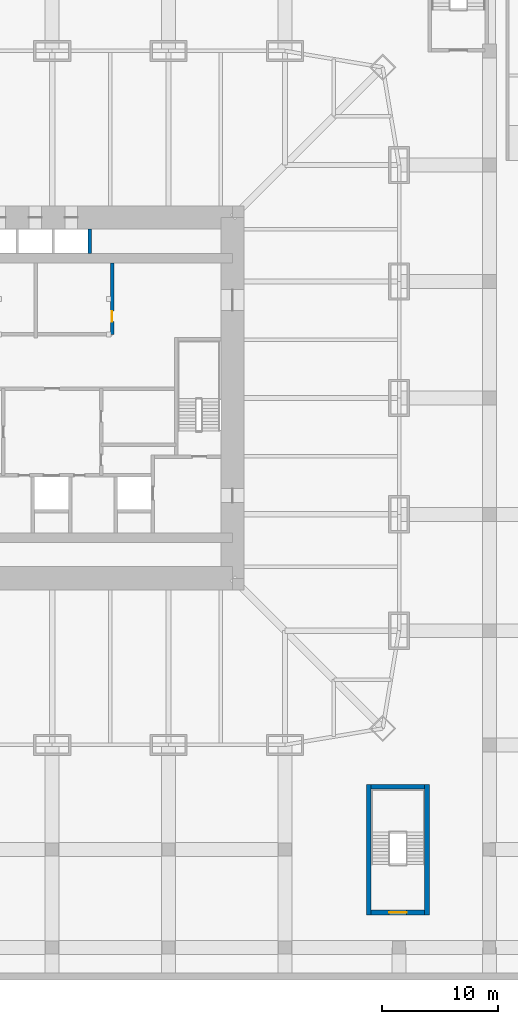
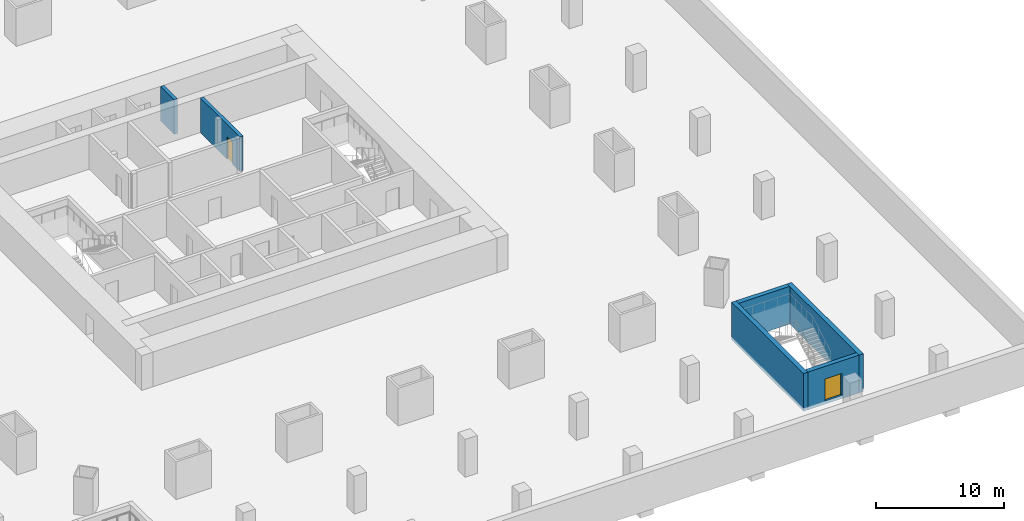
# One storey, part 6 of 11: 6 walls, 2 doors, 2 openings.
"""IFC4 building model written with IfcOpenShell, lengths in metres."""

from ifc_helpers import new_model, si_unit, direction, frame, frame_2d, origin, place, context, subcontext, project, spatial, rectangle, extrude, material, layer, layer_set, type_object, element, fill, save


model = new_model("IFC4")

# Units and contexts
model_context = context("Model", 3, precision=1e-05, world=origin(), true_north=direction((0.0, 1.0)))
body_context = subcontext(model_context, "Body", "Model", "MODEL_VIEW")
ifc_project = project(units=[si_unit("LENGTHUNIT", "METRE"), si_unit("AREAUNIT", "SQUARE_METRE"), si_unit("VOLUMEUNIT", "CUBIC_METRE"), si_unit("PLANEANGLEUNIT", "RADIAN"), si_unit("MASSUNIT", "GRAM", prefix="KILO")], contexts=[model_context])

# Site, building, storey
site_placement = place(None, origin())
site = spatial("IfcSite", under=ifc_project, at=site_placement, CompositionType="ELEMENT")
building_placement = place(site_placement, origin())
building = spatial("IfcBuilding", under=site, at=building_placement, Name="Khuree Lantern Residences", CompositionType="ELEMENT")
storey_placement = place(building_placement, frame((0.0, 0.0, -9.0)))
storey = spatial("IfcBuildingStorey", under=building, at=storey_placement, Name="B2", CompositionType="ELEMENT", Elevation=-9.0)

# Wall
ifc_material_1 = material(Name="Dense concrete blockwork", Category="masonry")
ifc_layer_1 = layer(ifc_material_1, 0.300048828125)
ifc_layer_set_1 = layer_set([ifc_layer_1], Name="CORE PARTITION WALL CPW300 EI 120")
wall_type_1 = type_object("IfcWallType", Name="CORE PARTITION WALL CPW300 EI 120", PredefinedType="PARTITIONING", material=ifc_layer_set_1)
wall_1_placement = place(storey_placement, frame((3.25, 12.39990234375, 0.0), z_axis=(0.0, 0.0, 1.0), x_axis=(0.0, 1.0, 0.0)))
element("IfcWall", 1, at=wall_1_placement, inside=storey, type_object=wall_type_1, Name="B2 CORE WALL PLE", PredefinedType="PARTITIONING", context=body_context, shape_type="SweptSolid", body=[
    extrude(rectangle(XDim=2.10009765625, YDim=0.300048828125, at=frame_2d((1.050048828125, 0.0))), origin(), (0.0, 0.0, 1.0), 3.300048828125),
])

# Wall, opening, door
wall_2_placement = place(storey_placement, frame((5.14990234375, 5.449951171875, 0.0), z_axis=(0.0, 0.0, 1.0), x_axis=(0.0, 1.0, 0.0)))
wall_2 = element("IfcWall", 2, at=wall_2_placement, inside=storey, type_object=wall_type_1, Name="B2 CORE WALL NE", PredefinedType="PARTITIONING", context=body_context, shape_type="SweptSolid", body=[
    extrude(rectangle(XDim=6.150146484375, YDim=0.300048828125, at=frame_2d((3.0751953125, 0.0))), origin(), (0.0, 0.0, 1.0), 3.300048828125),
])
opening_1_placement = place(wall_2_placement, frame((1.10009765625, 0.0, 0.0)))
opening_1 = element("IfcOpeningElement", 3, at=opening_1_placement, cuts=wall_2, Name="Opening B2-021", PredefinedType="OPENING", context=body_context, shape_type="SweptSolid", body=[
    extrude(rectangle(XDim=0.89990234375, YDim=2.10009765625, at=frame_2d((0.449951171875, 1.050048828125))), frame((0.0, 0.16015625, 0.0), z_axis=(0.0, -1.0, 0.0), x_axis=(1.0, 0.0, 0.0)), (0.0, 0.0, 1.0), 0.320068359375),
])
ifc_material_2 = material(Name="Timber door leaf in hardwood frame", Category="wood")
door_type_1 = type_object("IfcDoorType", Name="DOOR 900X2100", OperationType="SINGLE_SWING_LEFT", PredefinedType="DOOR", material=ifc_material_2)
door_1_placement = place(opening_1_placement, origin())
door_1 = element("IfcDoor", 4, at=door_1_placement, inside=storey, type_object=door_type_1, Name="Store door B2-021", OperationType="SINGLE_SWING_LEFT", OverallHeight=2.10009765625, OverallWidth=0.89990234375, PredefinedType="DOOR", context=body_context, shape_type="SweptSolid", body=[
    extrude(rectangle(XDim=0.89990234375, YDim=2.10009765625, at=frame_2d((0.449951171875, 1.050048828125))), frame((0.0, 0.02490234375, 0.0), z_axis=(0.0, -1.0, 0.0), x_axis=(1.0, 0.0, 0.0)), (0.0, 0.0, 1.0), 0.050048828125),
])
fill(opening_1, door_1)

# Walls
ifc_material_3 = material(Name="Concrete C40/50", Category="concrete")
ifc_layer_2 = layer(ifc_material_3, 0.39990234375)
ifc_layer_set_2 = layer_set([ifc_layer_2], Name="STAIR WALL BSW400 REI 240")
wall_type_2 = type_object("IfcWallType", Name="STAIR WALL BSW400 REI 240", PredefinedType="SOLIDWALL", material=ifc_layer_set_2)
for number, where, z_axis, x_axis, name in (
    (5, (27.199951171875, -44.39990234375, -0.300048828125), (0.0, 0.0, 1.0), (0.0, 1.0, 0.0), "B2 STAIR ST6 WALL W"),
    (6, (32.199951171875, -44.39990234375, -0.300048828125), (0.0, 0.0, 1.0), (0.0, 1.0, 0.0), "B2 STAIR ST6 WALL E"),
):
    element("IfcWall", number, at=place(storey_placement, frame(where, z_axis=z_axis, x_axis=x_axis)), inside=storey, type_object=wall_type_2, Name=name, PredefinedType="SOLIDWALL", context=body_context, shape_type="SweptSolid", body=[
        extrude(rectangle(XDim=11.199951171875, YDim=0.39990234375, at=frame_2d((5.60009765625, 0.0))), origin(), (0.0, 0.0, 1.0), 3.60009765625),
    ])

# Wall, opening, door
wall_3_placement = place(storey_placement, frame((27.39990234375, -44.199951171875, -0.300048828125), z_axis=(0.0, 0.0, 1.0), x_axis=(1.0, 0.0, 0.0)))
wall_3 = element("IfcWall", 7, at=wall_3_placement, inside=storey, type_object=wall_type_2, Name="B2 STAIR ST6 WALL S", PredefinedType="SOLIDWALL", context=body_context, shape_type="SweptSolid", body=[
    extrude(rectangle(XDim=4.60009765625, YDim=0.39990234375, at=frame_2d((2.300048828125, 0.0))), origin(), (0.0, 0.0, 1.0), 3.60009765625),
])
opening_2_placement = place(wall_3_placement, frame((1.550048828125, 0.0, 0.300048828125)))
opening_2 = element("IfcOpeningElement", 8, at=opening_2_placement, cuts=wall_3, Name="Opening B2-023", PredefinedType="OPENING", context=body_context, shape_type="SweptSolid", body=[
    extrude(rectangle(XDim=1.5, YDim=2.10009765625, at=frame_2d((0.75, 1.050048828125))), frame((0.0, 0.2099609375, 0.0), z_axis=(0.0, -1.0, 0.0), x_axis=(1.0, 0.0, 0.0)), (0.0, 0.0, 1.0), 0.419921875),
])
ifc_material_4 = material(Name="Steel door leaf in steel frame", Category="steel")
door_type_2 = type_object("IfcDoorType", Name="STAIR DOOR 1500X2100 EI 120", OperationType="DOUBLE_DOOR_SINGLE_SWING", PredefinedType="DOOR", material=ifc_material_4)
door_2_placement = place(opening_2_placement, origin())
door_2 = element("IfcDoor", 9, at=door_2_placement, inside=storey, type_object=door_type_2, Name="Stair ST6 door B2-023", OperationType="DOUBLE_DOOR_SINGLE_SWING", OverallHeight=2.10009765625, OverallWidth=1.5, PredefinedType="DOOR", context=body_context, shape_type="SweptSolid", body=[
    extrude(rectangle(XDim=1.5, YDim=2.10009765625, at=frame_2d((0.75, 1.050048828125))), frame((0.0, 0.02490234375, 0.0), z_axis=(0.0, -1.0, 0.0), x_axis=(1.0, 0.0, 0.0)), (0.0, 0.0, 1.0), 0.050048828125),
])
fill(opening_2, door_2)

# Wall
wall_4_placement = place(storey_placement, frame((27.39990234375, -33.39990234375, -0.300048828125), z_axis=(0.0, 0.0, 1.0), x_axis=(1.0, 0.0, 0.0)))
element("IfcWall", 10, at=wall_4_placement, inside=storey, type_object=wall_type_2, Name="B2 STAIR ST6 WALL N", PredefinedType="SOLIDWALL", context=body_context, shape_type="SweptSolid", body=[
    extrude(rectangle(XDim=4.60009765625, YDim=0.39990234375, at=frame_2d((2.300048828125, 0.0))), origin(), (0.0, 0.0, 1.0), 3.60009765625),
])

save(model, "model.ifc")
